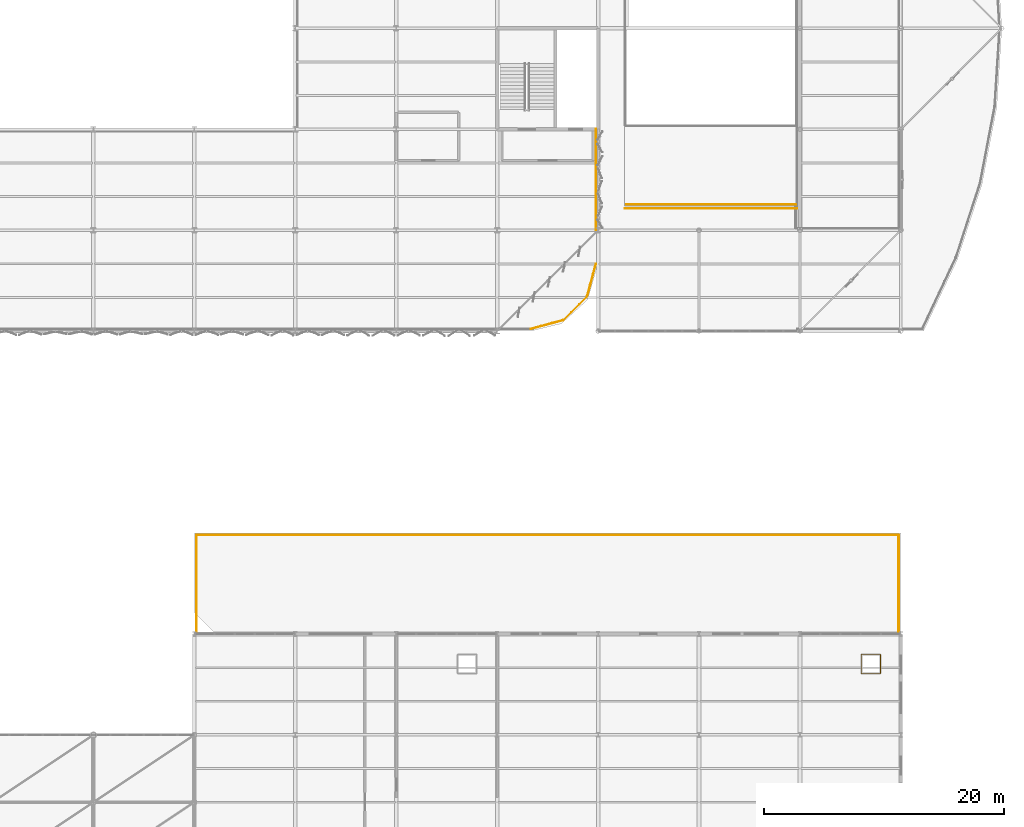
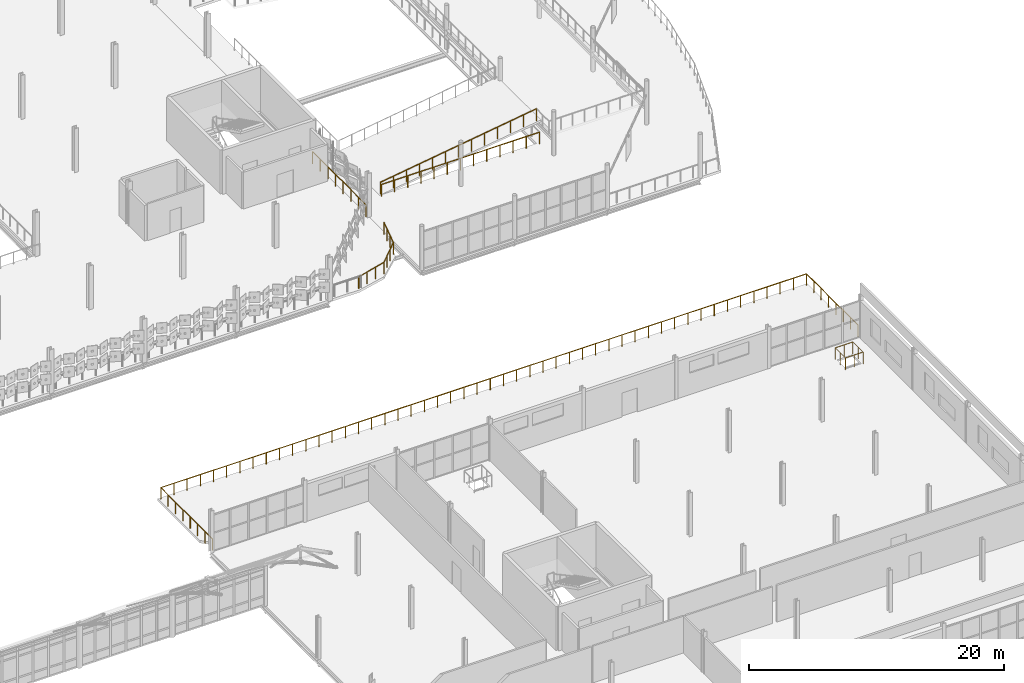
# One storey, part 181 of 184: 6 railings.
"""IFC4 building model written with IfcOpenShell, lengths in metres."""

from ifc_helpers import new_model, si_unit, direction, frame, origin, origin_2d, place, context, subcontext, project, spatial, circle, extrude, material, type_object, element, save


model = new_model("IFC4")

# Units and contexts
model_context = context("Model", 3, precision=1e-05, world=origin(), true_north=direction((0.0, 1.0)))
body_context = subcontext(model_context, "Body", "Model", "MODEL_VIEW")
ifc_project = project(units=[si_unit("LENGTHUNIT", "METRE"), si_unit("AREAUNIT", "SQUARE_METRE"), si_unit("VOLUMEUNIT", "CUBIC_METRE"), si_unit("PLANEANGLEUNIT", "RADIAN"), si_unit("MASSUNIT", "GRAM", prefix="KILO")], contexts=[model_context])

# Site, building, storey
site_placement = place(None, origin())
site = spatial("IfcSite", under=ifc_project, at=site_placement, CompositionType="ELEMENT")
building_placement = place(site_placement, origin())
building = spatial("IfcBuilding", under=site, at=building_placement, Name="Qalvenar Corner Mobility Hub", CompositionType="ELEMENT")
storey_placement = place(building_placement, frame((0.0, 0.0, 9.0)))
storey = spatial("IfcBuildingStorey", under=building, at=storey_placement, Name="L02", CompositionType="ELEMENT", Elevation=9.0)

# Railings
ifc_material_1 = material(Name="Art Nouveau Bronze-Finished Steel Balustrade", Category="steel")
railing_type_1 = type_object("IfcRailingType", Name="RL-GUARD-110", PredefinedType="GUARDRAIL", material=ifc_material_1)
railing_1_placement = place(storey_placement, frame((109.3798828125, 42.14990234375, 0.0)))
element("IfcRailing", 1, at=railing_1_placement, inside=storey, type_object=railing_type_1, Name="Terrace Perimeter Guardrail TER-V6-L02", PredefinedType="GUARDRAIL", context=body_context, shape_type="SweptSolid", body=[
    extrude(circle(Radius=0.02392578125, at=origin_2d()), frame((0.0, 0.0, 1.09619140625), z_axis=(0.0, 1.0, 0.0), x_axis=(-1.0, 0.0, 0.0)), (0.0, 0.0, 1.0), 8.070068359375),
    extrude(circle(Radius=0.02392578125, at=origin_2d()), frame((0.0, 8.070068359375, 1.09619140625), z_axis=(1.0, 0.0, 0.0), x_axis=(0.0, 1.0, 0.0)), (0.0, 0.0, 1.0), 58.440185546875),
    extrude(circle(Radius=0.02392578125, at=origin_2d()), frame((58.440185546875, 8.070068359375, 1.09619140625), z_axis=(0.0, -1.0, 0.0), x_axis=(1.0, 0.0, 0.0)), (0.0, 0.0, 1.0), 8.070068359375),
    extrude(circle(Radius=0.02099609375, at=origin_2d()), origin(), (0.0, 0.0, 1.0), 1.072021484375),
    extrude(circle(Radius=0.02099609375, at=origin_2d()), frame((0.0, 1.15283203125, 0.0)), (0.0, 0.0, 1.0), 1.072021484375),
    extrude(circle(Radius=0.02099609375, at=origin_2d()), frame((0.0, 2.3056640625, 0.0)), (0.0, 0.0, 1.0), 1.072021484375),
    extrude(circle(Radius=0.02099609375, at=origin_2d()), frame((0.0, 3.45849609375, 0.0)), (0.0, 0.0, 1.0), 1.072021484375),
    extrude(circle(Radius=0.02099609375, at=origin_2d()), frame((0.0, 4.611572265625, 0.0)), (0.0, 0.0, 1.0), 1.072021484375),
    extrude(circle(Radius=0.02099609375, at=origin_2d()), frame((0.0, 5.764404296875, 0.0)), (0.0, 0.0, 1.0), 1.072021484375),
    extrude(circle(Radius=0.02099609375, at=origin_2d()), frame((0.0, 6.917236328125, 0.0)), (0.0, 0.0, 1.0), 1.072021484375),
    extrude(circle(Radius=0.02099609375, at=origin_2d()), frame((0.0, 8.070068359375, 0.0)), (0.0, 0.0, 1.0), 1.072021484375),
    extrude(circle(Radius=0.02099609375, at=origin_2d()), frame((1.192626953125, 8.070068359375, 0.0)), (0.0, 0.0, 1.0), 1.072021484375),
    extrude(circle(Radius=0.02099609375, at=origin_2d()), frame((2.38525390625, 8.070068359375, 0.0)), (0.0, 0.0, 1.0), 1.072021484375),
    extrude(circle(Radius=0.02099609375, at=origin_2d()), frame((3.577880859375, 8.070068359375, 0.0)), (0.0, 0.0, 1.0), 1.072021484375),
    extrude(circle(Radius=0.02099609375, at=origin_2d()), frame((4.7705078125, 8.070068359375, 0.0)), (0.0, 0.0, 1.0), 1.072021484375),
    extrude(circle(Radius=0.02099609375, at=origin_2d()), frame((5.96337890625, 8.070068359375, 0.0)), (0.0, 0.0, 1.0), 1.072021484375),
    extrude(circle(Radius=0.02099609375, at=origin_2d()), frame((7.156005859375, 8.070068359375, 0.0)), (0.0, 0.0, 1.0), 1.072021484375),
    extrude(circle(Radius=0.02099609375, at=origin_2d()), frame((8.3486328125, 8.070068359375, 0.0)), (0.0, 0.0, 1.0), 1.072021484375),
    extrude(circle(Radius=0.02099609375, at=origin_2d()), frame((9.541259765625, 8.070068359375, 0.0)), (0.0, 0.0, 1.0), 1.072021484375),
    extrude(circle(Radius=0.02099609375, at=origin_2d()), frame((10.73388671875, 8.070068359375, 0.0)), (0.0, 0.0, 1.0), 1.072021484375),
    extrude(circle(Radius=0.02099609375, at=origin_2d()), frame((11.926513671875, 8.070068359375, 0.0)), (0.0, 0.0, 1.0), 1.072021484375),
    extrude(circle(Radius=0.02099609375, at=origin_2d()), frame((13.119140625, 8.070068359375, 0.0)), (0.0, 0.0, 1.0), 1.072021484375),
    extrude(circle(Radius=0.02099609375, at=origin_2d()), frame((14.311767578125, 8.070068359375, 0.0)), (0.0, 0.0, 1.0), 1.072021484375),
    extrude(circle(Radius=0.02099609375, at=origin_2d()), frame((15.504638671875, 8.070068359375, 0.0)), (0.0, 0.0, 1.0), 1.072021484375),
    extrude(circle(Radius=0.02099609375, at=origin_2d()), frame((16.697265625, 8.070068359375, 0.0)), (0.0, 0.0, 1.0), 1.072021484375),
    extrude(circle(Radius=0.02099609375, at=origin_2d()), frame((17.889892578125, 8.070068359375, 0.0)), (0.0, 0.0, 1.0), 1.072021484375),
    extrude(circle(Radius=0.02099609375, at=origin_2d()), frame((19.08251953125, 8.070068359375, 0.0)), (0.0, 0.0, 1.0), 1.072021484375),
    extrude(circle(Radius=0.02099609375, at=origin_2d()), frame((20.275146484375, 8.070068359375, 0.0)), (0.0, 0.0, 1.0), 1.072021484375),
    extrude(circle(Radius=0.02099609375, at=origin_2d()), frame((21.4677734375, 8.070068359375, 0.0)), (0.0, 0.0, 1.0), 1.072021484375),
    extrude(circle(Radius=0.02099609375, at=origin_2d()), frame((22.660400390625, 8.070068359375, 0.0)), (0.0, 0.0, 1.0), 1.072021484375),
    extrude(circle(Radius=0.02099609375, at=origin_2d()), frame((23.85302734375, 8.070068359375, 0.0)), (0.0, 0.0, 1.0), 1.072021484375),
    extrude(circle(Radius=0.02099609375, at=origin_2d()), frame((25.0458984375, 8.070068359375, 0.0)), (0.0, 0.0, 1.0), 1.072021484375),
    extrude(circle(Radius=0.02099609375, at=origin_2d()), frame((26.238525390625, 8.070068359375, 0.0)), (0.0, 0.0, 1.0), 1.072021484375),
    extrude(circle(Radius=0.02099609375, at=origin_2d()), frame((27.43115234375, 8.070068359375, 0.0)), (0.0, 0.0, 1.0), 1.072021484375),
    extrude(circle(Radius=0.02099609375, at=origin_2d()), frame((28.623779296875, 8.070068359375, 0.0)), (0.0, 0.0, 1.0), 1.072021484375),
    extrude(circle(Radius=0.02099609375, at=origin_2d()), frame((29.81640625, 8.070068359375, 0.0)), (0.0, 0.0, 1.0), 1.072021484375),
    extrude(circle(Radius=0.02099609375, at=origin_2d()), frame((31.009033203125, 8.070068359375, 0.0)), (0.0, 0.0, 1.0), 1.072021484375),
    extrude(circle(Radius=0.02099609375, at=origin_2d()), frame((32.20166015625, 8.070068359375, 0.0)), (0.0, 0.0, 1.0), 1.072021484375),
    extrude(circle(Radius=0.02099609375, at=origin_2d()), frame((33.394287109375, 8.070068359375, 0.0)), (0.0, 0.0, 1.0), 1.072021484375),
    extrude(circle(Radius=0.02099609375, at=origin_2d()), frame((34.587158203125, 8.070068359375, 0.0)), (0.0, 0.0, 1.0), 1.072021484375),
    extrude(circle(Radius=0.02099609375, at=origin_2d()), frame((35.77978515625, 8.070068359375, 0.0)), (0.0, 0.0, 1.0), 1.072021484375),
    extrude(circle(Radius=0.02099609375, at=origin_2d()), frame((36.972412109375, 8.070068359375, 0.0)), (0.0, 0.0, 1.0), 1.072021484375),
    extrude(circle(Radius=0.02099609375, at=origin_2d()), frame((38.1650390625, 8.070068359375, 0.0)), (0.0, 0.0, 1.0), 1.072021484375),
    extrude(circle(Radius=0.02099609375, at=origin_2d()), frame((39.357666015625, 8.070068359375, 0.0)), (0.0, 0.0, 1.0), 1.072021484375),
    extrude(circle(Radius=0.02099609375, at=origin_2d()), frame((40.55029296875, 8.070068359375, 0.0)), (0.0, 0.0, 1.0), 1.072021484375),
    extrude(circle(Radius=0.02099609375, at=origin_2d()), frame((41.742919921875, 8.070068359375, 0.0)), (0.0, 0.0, 1.0), 1.072021484375),
    extrude(circle(Radius=0.02099609375, at=origin_2d()), frame((42.935546875, 8.070068359375, 0.0)), (0.0, 0.0, 1.0), 1.072021484375),
    extrude(circle(Radius=0.02099609375, at=origin_2d()), frame((44.12841796875, 8.070068359375, 0.0)), (0.0, 0.0, 1.0), 1.072021484375),
    extrude(circle(Radius=0.02099609375, at=origin_2d()), frame((45.321044921875, 8.070068359375, 0.0)), (0.0, 0.0, 1.0), 1.072021484375),
    extrude(circle(Radius=0.02099609375, at=origin_2d()), frame((46.513671875, 8.070068359375, 0.0)), (0.0, 0.0, 1.0), 1.072021484375),
    extrude(circle(Radius=0.02099609375, at=origin_2d()), frame((47.706298828125, 8.070068359375, 0.0)), (0.0, 0.0, 1.0), 1.072021484375),
    extrude(circle(Radius=0.02099609375, at=origin_2d()), frame((48.89892578125, 8.070068359375, 0.0)), (0.0, 0.0, 1.0), 1.072021484375),
    extrude(circle(Radius=0.02099609375, at=origin_2d()), frame((50.091552734375, 8.070068359375, 0.0)), (0.0, 0.0, 1.0), 1.072021484375),
    extrude(circle(Radius=0.02099609375, at=origin_2d()), frame((51.2841796875, 8.070068359375, 0.0)), (0.0, 0.0, 1.0), 1.072021484375),
    extrude(circle(Radius=0.02099609375, at=origin_2d()), frame((52.476806640625, 8.070068359375, 0.0)), (0.0, 0.0, 1.0), 1.072021484375),
    extrude(circle(Radius=0.02099609375, at=origin_2d()), frame((53.669677734375, 8.070068359375, 0.0)), (0.0, 0.0, 1.0), 1.072021484375),
    extrude(circle(Radius=0.02099609375, at=origin_2d()), frame((54.8623046875, 8.070068359375, 0.0)), (0.0, 0.0, 1.0), 1.072021484375),
    extrude(circle(Radius=0.02099609375, at=origin_2d()), frame((56.054931640625, 8.070068359375, 0.0)), (0.0, 0.0, 1.0), 1.072021484375),
    extrude(circle(Radius=0.02099609375, at=origin_2d()), frame((57.24755859375, 8.070068359375, 0.0)), (0.0, 0.0, 1.0), 1.072021484375),
    extrude(circle(Radius=0.02099609375, at=origin_2d()), frame((58.440185546875, 8.070068359375, 0.0)), (0.0, 0.0, 1.0), 1.072021484375),
    extrude(circle(Radius=0.02099609375, at=origin_2d()), frame((58.440185546875, 6.917236328125, 0.0)), (0.0, 0.0, 1.0), 1.072021484375),
    extrude(circle(Radius=0.02099609375, at=origin_2d()), frame((58.440185546875, 5.764404296875, 0.0)), (0.0, 0.0, 1.0), 1.072021484375),
    extrude(circle(Radius=0.02099609375, at=origin_2d()), frame((58.440185546875, 4.611572265625, 0.0)), (0.0, 0.0, 1.0), 1.072021484375),
    extrude(circle(Radius=0.02099609375, at=origin_2d()), frame((58.440185546875, 3.45849609375, 0.0)), (0.0, 0.0, 1.0), 1.072021484375),
    extrude(circle(Radius=0.02099609375, at=origin_2d()), frame((58.440185546875, 2.3056640625, 0.0)), (0.0, 0.0, 1.0), 1.072021484375),
    extrude(circle(Radius=0.02099609375, at=origin_2d()), frame((58.440185546875, 1.15283203125, 0.0)), (0.0, 0.0, 1.0), 1.072021484375),
    extrude(circle(Radius=0.02099609375, at=origin_2d()), frame((58.440185546875, 0.0, 0.0)), (0.0, 0.0, 1.0), 1.072021484375),
])
ifc_material_2 = material(Name="Galvanised Steel Deck Edge Barrier", Category="steel")
railing_type_2 = type_object("IfcRailingType", Name="RL-GUARD-115", PredefinedType="GUARDRAIL", material=ifc_material_2)
railing_2_placement = place(storey_placement, frame((164.699951171875, 38.699951171875, 0.0)))
element("IfcRailing", 2, at=railing_2_placement, inside=storey, type_object=railing_type_2, Name="Riser Opening Guard V6-B-L02", PredefinedType="GUARDRAIL", context=body_context, shape_type="SweptSolid", body=[
    extrude(circle(Radius=0.02392578125, at=origin_2d()), frame((0.0, 0.0, 1.1259765625), z_axis=(1.0, 0.0, 0.0), x_axis=(0.0, 1.0, 0.0)), (0.0, 0.0, 1.0), 1.60009765625),
    extrude(circle(Radius=0.02392578125, at=origin_2d()), frame((1.60009765625, 0.0, 1.1259765625), z_axis=(0.0, 1.0, 0.0), x_axis=(-1.0, 0.0, 0.0)), (0.0, 0.0, 1.0), 1.60009765625),
    extrude(circle(Radius=0.02392578125, at=origin_2d()), frame((1.60009765625, 1.60009765625, 1.1259765625), z_axis=(-1.0, 0.0, 0.0), x_axis=(0.0, -1.0, 0.0)), (0.0, 0.0, 1.0), 1.60009765625),
    extrude(circle(Radius=0.02392578125, at=origin_2d()), frame((0.0, 1.60009765625, 1.1259765625), z_axis=(0.0, -1.0, 0.0), x_axis=(1.0, 0.0, 0.0)), (0.0, 0.0, 1.0), 1.60009765625),
    extrude(circle(Radius=0.02099609375, at=origin_2d()), origin(), (0.0, 0.0, 1.0), 1.101806640625),
    extrude(circle(Radius=0.02099609375, at=origin_2d()), frame((0.800048828125, 0.0, 0.0)), (0.0, 0.0, 1.0), 1.101806640625),
    extrude(circle(Radius=0.02099609375, at=origin_2d()), frame((1.60009765625, 0.0, 0.0)), (0.0, 0.0, 1.0), 1.101806640625),
    extrude(circle(Radius=0.02099609375, at=origin_2d()), frame((1.60009765625, 0.800048828125, 0.0)), (0.0, 0.0, 1.0), 1.101806640625),
    extrude(circle(Radius=0.02099609375, at=origin_2d()), frame((1.60009765625, 1.60009765625, 0.0)), (0.0, 0.0, 1.0), 1.101806640625),
    extrude(circle(Radius=0.02099609375, at=origin_2d()), frame((0.800048828125, 1.60009765625, 0.0)), (0.0, 0.0, 1.0), 1.101806640625),
    extrude(circle(Radius=0.02099609375, at=origin_2d()), frame((0.0, 1.60009765625, 0.0)), (0.0, 0.0, 1.0), 1.101806640625),
    extrude(circle(Radius=0.02099609375, at=origin_2d()), frame((0.0, 0.800048828125, 0.0)), (0.0, 0.0, 1.0), 1.101806640625),
])
railing_3_placement = place(storey_placement, frame((145.14990234375, 77.719970703125, 0.0)))
element("IfcRailing", 3, at=railing_3_placement, inside=storey, type_object=railing_type_2, Name="Ramp Guardrail L02-L03-GR3", PredefinedType="GUARDRAIL", context=body_context, shape_type="SweptSolid", body=[
    extrude(circle(Radius=0.02392578125, at=origin_2d()), frame((0.0, 0.0, 1.1259765625), z_axis=(0.989089328396, 0.0, 0.147317006664), x_axis=(0.0, 1.0, 0.0)), (0.0, 0.0, 1.0), 14.255615234375),
    extrude(circle(Radius=0.02099609375, at=origin_2d()), origin(), (0.0, 0.0, 1.0), 1.101806640625),
    extrude(circle(Radius=0.02099609375, at=origin_2d()), frame((1.175048828125, 0.0, 0.175048828125)), (0.0, 0.0, 1.0), 1.101806640625),
    extrude(circle(Radius=0.02099609375, at=origin_2d()), frame((2.35009765625, 0.0, 0.35009765625)), (0.0, 0.0, 1.0), 1.101806640625),
    extrude(circle(Radius=0.02099609375, at=origin_2d()), frame((3.52490234375, 0.0, 0.52490234375)), (0.0, 0.0, 1.0), 1.101806640625),
    extrude(circle(Radius=0.02099609375, at=origin_2d()), frame((4.699951171875, 0.0, 0.699951171875)), (0.0, 0.0, 1.0), 1.101806640625),
    extrude(circle(Radius=0.02099609375, at=origin_2d()), frame((5.875, 0.0, 0.875)), (0.0, 0.0, 1.0), 1.101806640625),
    extrude(circle(Radius=0.02099609375, at=origin_2d()), frame((7.050048828125, 0.0, 1.050048828125)), (0.0, 0.0, 1.0), 1.101806640625),
    extrude(circle(Radius=0.02099609375, at=origin_2d()), frame((8.22509765625, 0.0, 1.22509765625)), (0.0, 0.0, 1.0), 1.101806640625),
    extrude(circle(Radius=0.02099609375, at=origin_2d()), frame((9.400146484375, 0.0, 1.400146484375)), (0.0, 0.0, 1.0), 1.101806640625),
    extrude(circle(Radius=0.02099609375, at=origin_2d()), frame((10.5751953125, 0.0, 1.5751953125)), (0.0, 0.0, 1.0), 1.101806640625),
    extrude(circle(Radius=0.02099609375, at=origin_2d()), frame((11.75, 0.0, 1.75)), (0.0, 0.0, 1.0), 1.101806640625),
    extrude(circle(Radius=0.02099609375, at=origin_2d()), frame((12.925048828125, 0.0, 1.925048828125)), (0.0, 0.0, 1.0), 1.101806640625),
    extrude(circle(Radius=0.02099609375, at=origin_2d()), frame((14.10009765625, 0.0, 2.10009765625)), (0.0, 0.0, 1.0), 1.101806640625),
])
railing_4_placement = place(storey_placement, frame((142.6201171875, 75.60009765625, 0.0)))
element("IfcRailing", 4, at=railing_4_placement, inside=storey, type_object=railing_type_2, Name="Parking Deck Edge Barrier L02-ES-1", PredefinedType="GUARDRAIL", context=body_context, shape_type="SweptSolid", body=[
    extrude(circle(Radius=0.02392578125, at=origin_2d()), frame((0.0, 0.0, 1.1259765625), z_axis=(0.0, 1.0, 0.0), x_axis=(-1.0, 0.0, 0.0)), (0.0, 0.0, 1.0), 8.39990234375),
    extrude(circle(Radius=0.02099609375, at=origin_2d()), origin(), (0.0, 0.0, 1.0), 1.101806640625),
    extrude(circle(Radius=0.02099609375, at=origin_2d()), frame((0.0, 1.199951171875, 0.0)), (0.0, 0.0, 1.0), 1.101806640625),
    extrude(circle(Radius=0.02099609375, at=origin_2d()), frame((0.0, 2.39990234375, 0.0)), (0.0, 0.0, 1.0), 1.101806640625),
    extrude(circle(Radius=0.02099609375, at=origin_2d()), frame((0.0, 3.599853515625, 0.0)), (0.0, 0.0, 1.0), 1.101806640625),
    extrude(circle(Radius=0.02099609375, at=origin_2d()), frame((0.0, 4.800048828125, 0.0)), (0.0, 0.0, 1.0), 1.101806640625),
    extrude(circle(Radius=0.02099609375, at=origin_2d()), frame((0.0, 6.0, 0.0)), (0.0, 0.0, 1.0), 1.101806640625),
    extrude(circle(Radius=0.02099609375, at=origin_2d()), frame((0.0, 7.199951171875, 0.0)), (0.0, 0.0, 1.0), 1.101806640625),
    extrude(circle(Radius=0.02099609375, at=origin_2d()), frame((0.0, 8.39990234375, 0.0)), (0.0, 0.0, 1.0), 1.101806640625),
])
railing_5_placement = place(storey_placement, frame((137.199951171875, 67.3798828125, 0.0)))
element("IfcRailing", 5, at=railing_5_placement, inside=storey, type_object=railing_type_2, Name="Rounded Corner Barrier L02-SE", PredefinedType="GUARDRAIL", context=body_context, shape_type="SweptSolid", body=[
    extrude(circle(Radius=0.02392578125, at=origin_2d()), frame((0.0, 0.0, 1.1259765625), z_axis=(0.965909204481, 0.25888107057, 0.0), x_axis=(-0.25888107057, 0.965909204481, 0.0)), (0.0, 0.0, 1.0), 2.8056640625),
    extrude(circle(Radius=0.02392578125, at=origin_2d()), frame((2.7099609375, 0.726318359375, 1.1259765625), z_axis=(0.707106781187, 0.707106781187, 0.0), x_axis=(-0.707106781187, 0.707106781187, 0.0)), (0.0, 0.0, 1.0), 2.8056640625),
    extrude(circle(Radius=0.02392578125, at=origin_2d()), frame((4.69384765625, 2.710205078125, 1.1259765625), z_axis=(0.25888107057, 0.965909204481, 0.0), x_axis=(-0.965909204481, 0.25888107057, 0.0)), (0.0, 0.0, 1.0), 2.8056640625),
    extrude(circle(Radius=0.02099609375, at=origin_2d()), origin(), (0.0, 0.0, 1.0), 1.101806640625),
    extrude(circle(Radius=0.02099609375, at=origin_2d()), frame((0.9033203125, 0.2421875, 0.0)), (0.0, 0.0, 1.0), 1.101806640625),
    extrude(circle(Radius=0.02099609375, at=origin_2d()), frame((1.806640625, 0.484130859375, 0.0)), (0.0, 0.0, 1.0), 1.101806640625),
    extrude(circle(Radius=0.02099609375, at=origin_2d()), frame((2.7099609375, 0.726318359375, 0.0)), (0.0, 0.0, 1.0), 1.101806640625),
    extrude(circle(Radius=0.02099609375, at=origin_2d()), frame((3.371337890625, 1.3876953125, 0.0)), (0.0, 0.0, 1.0), 1.101806640625),
    extrude(circle(Radius=0.02099609375, at=origin_2d()), frame((4.032470703125, 2.048828125, 0.0)), (0.0, 0.0, 1.0), 1.101806640625),
    extrude(circle(Radius=0.02099609375, at=origin_2d()), frame((4.69384765625, 2.710205078125, 0.0)), (0.0, 0.0, 1.0), 1.101806640625),
    extrude(circle(Radius=0.02099609375, at=origin_2d()), frame((4.93603515625, 3.613525390625, 0.0)), (0.0, 0.0, 1.0), 1.101806640625),
    extrude(circle(Radius=0.02099609375, at=origin_2d()), frame((5.177978515625, 4.516845703125, 0.0)), (0.0, 0.0, 1.0), 1.101806640625),
    extrude(circle(Radius=0.02099609375, at=origin_2d()), frame((5.420166015625, 5.420166015625, 0.0)), (0.0, 0.0, 1.0), 1.101806640625),
])
railing_6_placement = place(storey_placement, frame((145.050048828125, 77.419921875, 0.0)))
element("IfcRailing", 6, at=railing_6_placement, inside=storey, type_object=railing_type_2, Name="Ramp Well Guardrail South L02", PredefinedType="GUARDRAIL", context=body_context, shape_type="SweptSolid", body=[
    extrude(circle(Radius=0.02392578125, at=origin_2d()), frame((0.0, 0.0, 1.1259765625), z_axis=(1.0, 0.0, 0.0), x_axis=(0.0, 1.0, 0.0)), (0.0, 0.0, 1.0), 14.300048828125),
    extrude(circle(Radius=0.02099609375, at=origin_2d()), origin(), (0.0, 0.0, 1.0), 1.101806640625),
    extrude(circle(Radius=0.02099609375, at=origin_2d()), frame((1.191650390625, 0.0, 0.0)), (0.0, 0.0, 1.0), 1.101806640625),
    extrude(circle(Radius=0.02099609375, at=origin_2d()), frame((2.38330078125, 0.0, 0.0)), (0.0, 0.0, 1.0), 1.101806640625),
    extrude(circle(Radius=0.02099609375, at=origin_2d()), frame((3.574951171875, 0.0, 0.0)), (0.0, 0.0, 1.0), 1.101806640625),
    extrude(circle(Radius=0.02099609375, at=origin_2d()), frame((4.7666015625, 0.0, 0.0)), (0.0, 0.0, 1.0), 1.101806640625),
    extrude(circle(Radius=0.02099609375, at=origin_2d()), frame((5.958251953125, 0.0, 0.0)), (0.0, 0.0, 1.0), 1.101806640625),
    extrude(circle(Radius=0.02099609375, at=origin_2d()), frame((7.14990234375, 0.0, 0.0)), (0.0, 0.0, 1.0), 1.101806640625),
    extrude(circle(Radius=0.02099609375, at=origin_2d()), frame((8.341796875, 0.0, 0.0)), (0.0, 0.0, 1.0), 1.101806640625),
    extrude(circle(Radius=0.02099609375, at=origin_2d()), frame((9.533447265625, 0.0, 0.0)), (0.0, 0.0, 1.0), 1.101806640625),
    extrude(circle(Radius=0.02099609375, at=origin_2d()), frame((10.72509765625, 0.0, 0.0)), (0.0, 0.0, 1.0), 1.101806640625),
    extrude(circle(Radius=0.02099609375, at=origin_2d()), frame((11.916748046875, 0.0, 0.0)), (0.0, 0.0, 1.0), 1.101806640625),
    extrude(circle(Radius=0.02099609375, at=origin_2d()), frame((13.1083984375, 0.0, 0.0)), (0.0, 0.0, 1.0), 1.101806640625),
    extrude(circle(Radius=0.02099609375, at=origin_2d()), frame((14.300048828125, 0.0, 0.0)), (0.0, 0.0, 1.0), 1.101806640625),
])

save(model, "model.ifc")
